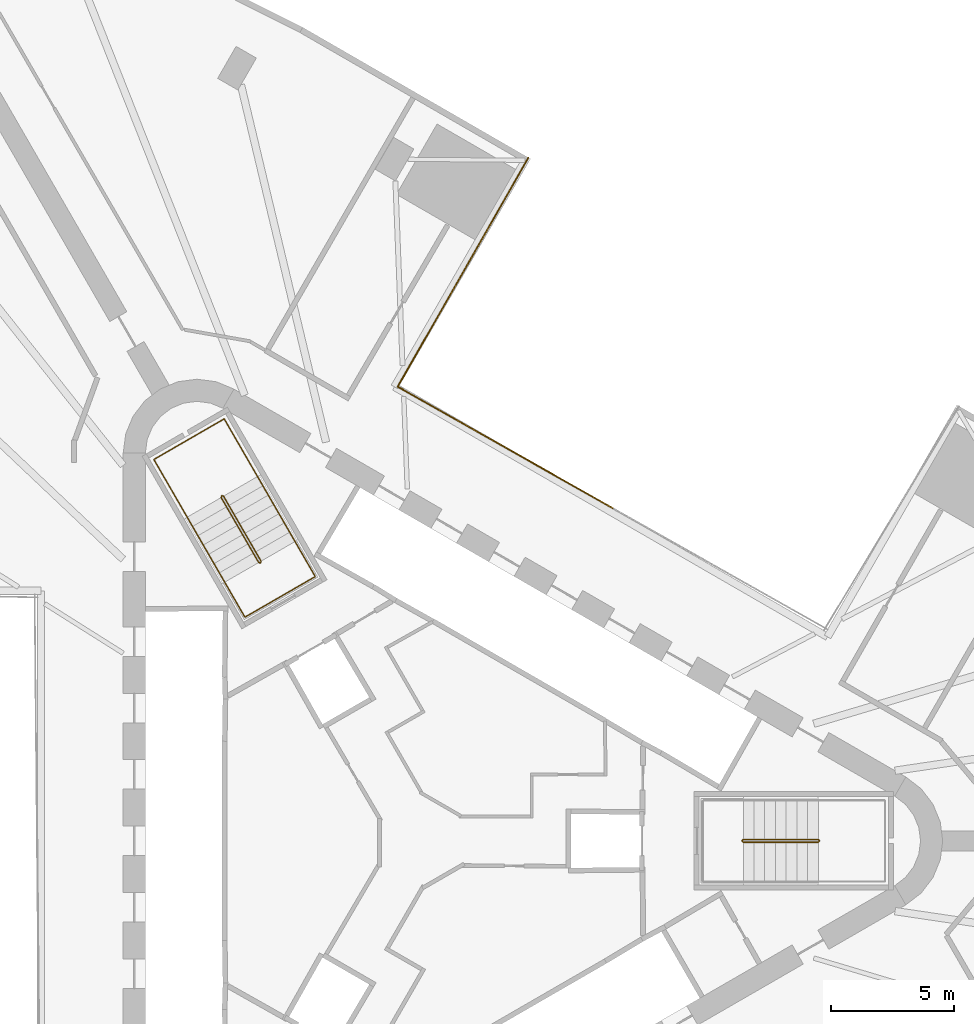
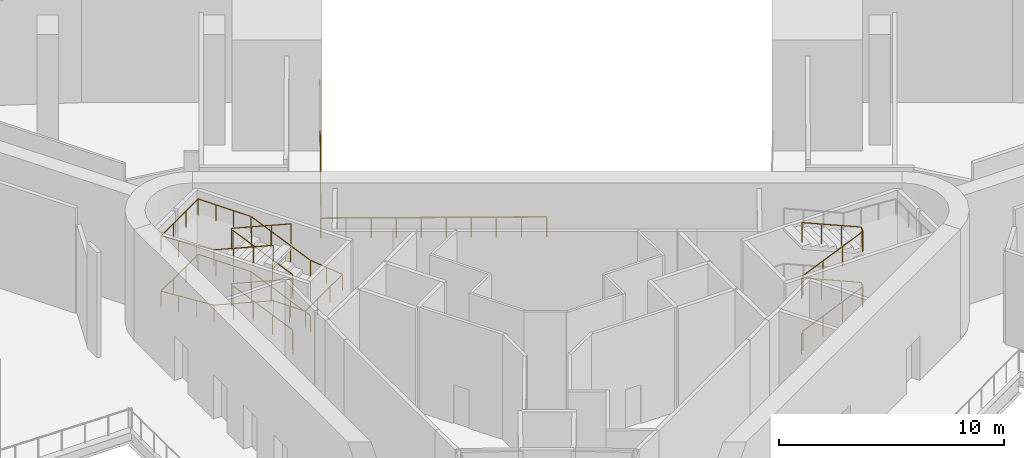
# One storey, part 10 of 11: 5 railings.
"""IFC4 building model written with IfcOpenShell, lengths in metres."""

import ifcopenshell
import ifcopenshell.guid

model = None  # the IFC model being written
_history = None  # IfcOwnerHistory: only IFC2X3 demands one
_inside = {}  # id of a spatial element -> (the spatial element, [elements in it])
_under = {}  # id of a project, library or spatial element -> (it, [spatial elements below it])
_declared = {}  # id of a project -> (the project, [libraries it declares])
_typed = {}  # id of a type object -> (the type object, [elements of that type])
_made_of = {}  # id of a material, layer set ... -> (it, [elements and type objects made of it])


def new_model(schema):
    """Start an empty IFC model of exactly this schema.

    Asked for "IFC4X3", IfcOpenShell would pick the latest addendum, in which some entities
    have other attributes; the version numbers below select the first issue.
    IFC2X3 requires an IfcOwnerHistory on every rooted entity: one is made here for all.
    """
    global model, _history
    if schema == "IFC4X3":
        model = ifcopenshell.file(schema_version=(4, 3, 0, 0))
    else:
        model = ifcopenshell.file(schema=schema)
    _inside.clear()
    _under.clear()
    _declared.clear()
    _typed.clear()
    _made_of.clear()
    _history = None
    if model.schema == "IFC2X3":
        org = make("IfcOrganization", Name="unknown")
        user = make(
            "IfcPersonAndOrganization",
            ThePerson=make("IfcPerson", FamilyName="unknown"),
            TheOrganization=org,
        )
        app = make(
            "IfcApplication",
            ApplicationDeveloper=org,
            Version="unknown",
            ApplicationFullName="unknown",
            ApplicationIdentifier="unknown",
        )
        _history = make(
            "IfcOwnerHistory",
            OwningUser=user,
            OwningApplication=app,
            ChangeAction="ADDED",
            CreationDate=0,
        )
    return model


def make(cls, **values):
    """One entity of the class cls with the attributes given. An attribute that is None is left unset."""
    return model.create_entity(
        cls, **{name: value for name, value in values.items() if value is not None}
    )


def rooted(cls, **values):
    """An entity with a GlobalId (a new one), such as an element, a storey or a relation."""
    return make(cls, GlobalId=ifcopenshell.guid.new(), OwnerHistory=_history, **values)


def si_unit(unit_type, name, prefix=None):
    """IfcSIUnit, for example si_unit("LENGTHUNIT", "METRE", prefix="MILLI")."""
    return make("IfcSIUnit", UnitType=unit_type, Prefix=prefix, Name=name)


def assignment(units):
    """IfcUnitAssignment: the units of a project."""
    return None if units is None else make("IfcUnitAssignment", Units=units)


def point(xyz):
    """IfcCartesianPoint."""
    return None if xyz is None else make("IfcCartesianPoint", Coordinates=xyz)


def direction(xyz):
    """IfcDirection."""
    return None if xyz is None else make("IfcDirection", DirectionRatios=xyz)


def frame(location, z_axis=None, x_axis=None):
    """IfcAxis2Placement3D, a coordinate frame: its origin and axes. An axis left out is left unset."""
    return make(
        "IfcAxis2Placement3D",
        Location=point(location),
        Axis=direction(z_axis),
        RefDirection=direction(x_axis),
    )


def frame_2d(location, x_axis=None):
    """IfcAxis2Placement2D, a coordinate frame in the plane: its origin and x axis."""
    return make(
        "IfcAxis2Placement2D", Location=point(location), RefDirection=direction(x_axis)
    )


def origin():
    """The frame at (0, 0, 0) with its axes left unset."""
    return frame((0.0, 0.0, 0.0))


def origin_2d():
    """The frame at (0, 0) in the plane with its x axis left unset."""
    return frame_2d((0.0, 0.0))


def place(relative_to, where):
    """IfcLocalPlacement: puts the frame where relative to a parent placement (None: the world)."""
    return make(
        "IfcLocalPlacement", PlacementRelTo=relative_to, RelativePlacement=where
    )


def context(
    kind, dimensions, precision=None, world=None, true_north=None, identifier=None
):
    """IfcGeometricRepresentationContext, for example the 3D "Model" context."""
    return make(
        "IfcGeometricRepresentationContext",
        ContextIdentifier=identifier,
        ContextType=kind,
        CoordinateSpaceDimension=dimensions,
        Precision=precision,
        WorldCoordinateSystem=world,
        TrueNorth=true_north,
    )


def subcontext(parent, identifier, kind, view, scale=None):
    """IfcGeometricRepresentationSubContext, for example "Body" below "Model"."""
    return make(
        "IfcGeometricRepresentationSubContext",
        ContextIdentifier=identifier,
        ContextType=kind,
        ParentContext=parent,
        TargetScale=scale,
        TargetView=view,
    )


def project(units=None, contexts=None):
    """IfcProject with its units and contexts."""
    return rooted(
        "IfcProject",
        Name="project",
        RepresentationContexts=contexts,
        UnitsInContext=assignment(units),
    )


def spatial(cls, under=None, at=None, **own):
    """A site, building, storey or space (cls), placed at a placement, below another one or the project."""
    s = rooted(cls, ObjectPlacement=at, **own)
    if under is not None:
        _under.setdefault(under.id(), (under, []))[1].append(s)
    return s


def profile(cls, at=None, kind="AREA", **sizes):
    """A parametric profile (cls). Its sizes go by their IFC names, for example OverallWidth=200.0."""
    return make(cls, ProfileType=kind, Position=at, **sizes)


def circle(**sizes):
    """IfcCircleProfileDef."""
    return profile("IfcCircleProfileDef", **sizes)


def extrude(swept, where, along, depth):
    """IfcExtrudedAreaSolid: the profile swept, set in the frame where, extruded along a direction by depth."""
    return make(
        "IfcExtrudedAreaSolid",
        SweptArea=swept,
        Position=where,
        ExtrudedDirection=direction(along),
        Depth=depth,
    )


def shape(context_of_items, identifier, shape_type, items):
    """IfcShapeRepresentation: the items that make up one representation, for example the "Body"."""
    return make(
        "IfcShapeRepresentation",
        ContextOfItems=context_of_items,
        RepresentationIdentifier=identifier,
        RepresentationType=shape_type,
        Items=items,
    )


def material(Name=None, Category=None):
    """IfcMaterial."""
    return make("IfcMaterial", Name=Name, Category=Category)


def made_of(thing, what):
    """Note that an element or type object is made of a material, layer set ...; save() writes the relation."""
    if what is not None:
        _made_of.setdefault(what.id(), (what, []))[1].append(thing)
    return thing


def type_object(cls, material=None, **own):
    """A type object (cls), such as IfcWallType, which elements share."""
    return made_of(rooted(cls, **own), material)


def element(
    cls,
    number,
    at=None,
    inside=None,
    cuts=None,
    type_object=None,
    material=None,
    context=None,
    identifier="Body",
    shape_type=None,
    held_by="IfcProductDefinitionShape",
    body=None,
    shapes=None,
    **own,
):
    """One element of the class cls, such as IfcWall. Its Tag is "e" and its number.

    at: its placement. inside: the storey or other place that contains it. cuts: it is an
    opening in that element (IfcRelVoidsElement). A single representation is given by context,
    identifier, shape_type and body (its items); several are given by shapes. held_by: the class
    of the entity that holds the representations. save() writes the other relations.
    """
    e = rooted(cls, Tag="e%d" % number, ObjectPlacement=at, **own)
    if body is not None:
        shapes = [shape(context, identifier, shape_type, body)]
    if shapes is not None:
        e.Representation = make(held_by, Representations=shapes)
    if inside is not None:
        _inside.setdefault(inside.id(), (inside, []))[1].append(e)
    if cuts is not None:
        rooted(
            "IfcRelVoidsElement", RelatingBuildingElement=cuts, RelatedOpeningElement=e
        )
    if type_object is not None:
        _typed.setdefault(type_object.id(), (type_object, []))[1].append(e)
    return made_of(e, material)


def aggregate(whole, parts):
    """IfcRelAggregates: a whole, such as a stair, and the parts it consists of."""
    return rooted("IfcRelAggregates", RelatingObject=whole, RelatedObjects=parts)


def save(model, path):
    """Write the relations noted so far, then the file.

    IfcRelAggregates (storeys below a building ...), IfcRelContainedInSpatialStructure (elements
    in a storey), IfcRelDefinesByType, IfcRelAssociatesMaterial and IfcRelDeclares: one each for
    every whole, place, type object, material and project.
    """
    for whole, parts in _under.values():
        aggregate(whole, parts)
    for where, things in _inside.values():
        rooted(
            "IfcRelContainedInSpatialStructure",
            RelatedElements=things,
            RelatingStructure=where,
        )
    for kind, things in _typed.values():
        rooted("IfcRelDefinesByType", RelatedObjects=things, RelatingType=kind)
    for what, things in _made_of.values():
        rooted("IfcRelAssociatesMaterial", RelatedObjects=things, RelatingMaterial=what)
    for by, libraries in _declared.values():
        rooted("IfcRelDeclares", RelatingContext=by, RelatedDefinitions=libraries)
    model.write(path)


model = new_model("IFC4")

# Units and contexts
model_context = context("Model", 3, precision=1e-05, world=origin(), true_north=direction((0.0, 1.0)))
body_context = subcontext(model_context, "Body", "Model", "MODEL_VIEW")
ifc_project = project(units=[si_unit("LENGTHUNIT", "METRE"), si_unit("AREAUNIT", "SQUARE_METRE"), si_unit("VOLUMEUNIT", "CUBIC_METRE"), si_unit("PLANEANGLEUNIT", "RADIAN"), si_unit("MASSUNIT", "GRAM", prefix="KILO")], contexts=[model_context])

# Site, building, storey
site_placement = place(None, origin())
site = spatial("IfcSite", under=ifc_project, at=site_placement, CompositionType="ELEMENT")
building_placement = place(site_placement, origin())
building = spatial("IfcBuilding", under=site, at=building_placement, Name="Tanit Gate Tower", CompositionType="ELEMENT")
storey_placement = place(building_placement, frame((0.0, 0.0, 21.5)))
storey = spatial("IfcBuildingStorey", under=building, at=storey_placement, Name="L03", CompositionType="ELEMENT", Elevation=21.5)

# Railings
ifc_material_1 = material(Name="Stainless steel", Category="steel")
railing_type_1 = type_object("IfcRailingType", Name="Guard 1100 stainless steel balustrade", PredefinedType="GUARDRAIL", material=ifc_material_1)
railing_1_placement = place(storey_placement, frame((4.366943359375, 27.763916015625, 0.0)))
element("IfcRailing", 1, at=railing_1_placement, inside=storey, type_object=railing_type_1, Name="Tunnel edge guard L03 6", PredefinedType="GUARDRAIL", context=body_context, shape_type="SweptSolid", body=[
    extrude(circle(Radius=0.02392578125, at=origin_2d()), frame((0.0, 0.0, 1.076171875), z_axis=(-0.495702152138, -0.86849258855, 0.0), x_axis=(0.86849258855, -0.495702152138, 0.0)), (0.0, 0.0, 1.0), 10.716064453125),
    extrude(circle(Radius=0.02099609375, at=origin_2d()), origin(), (0.0, 0.0, 1.0), 1.052001953125),
    extrude(circle(Radius=0.02099609375, at=origin_2d()), frame((-0.59033203125, -1.0341796875, 0.0)), (0.0, 0.0, 1.0), 1.052001953125),
    extrude(circle(Radius=0.02099609375, at=origin_2d()), frame((-1.180419921875, -2.068115234375, 0.0)), (0.0, 0.0, 1.0), 1.052001953125),
    extrude(circle(Radius=0.02099609375, at=origin_2d()), frame((-1.770751953125, -3.102294921875, 0.0)), (0.0, 0.0, 1.0), 1.052001953125),
    extrude(circle(Radius=0.02099609375, at=origin_2d()), frame((-2.36083984375, -4.136474609375, 0.0)), (0.0, 0.0, 1.0), 1.052001953125),
    extrude(circle(Radius=0.02099609375, at=origin_2d()), frame((-2.951171875, -5.17041015625, 0.0)), (0.0, 0.0, 1.0), 1.052001953125),
    extrude(circle(Radius=0.02099609375, at=origin_2d()), frame((-3.541259765625, -6.20458984375, 0.0)), (0.0, 0.0, 1.0), 1.052001953125),
    extrude(circle(Radius=0.02099609375, at=origin_2d()), frame((-4.131591796875, -7.23876953125, 0.0)), (0.0, 0.0, 1.0), 1.052001953125),
    extrude(circle(Radius=0.02099609375, at=origin_2d()), frame((-4.7216796875, -8.272705078125, 0.0)), (0.0, 0.0, 1.0), 1.052001953125),
    extrude(circle(Radius=0.02099609375, at=origin_2d()), frame((-5.31201171875, -9.306884765625, 0.0)), (0.0, 0.0, 1.0), 1.052001953125),
])
railing_2_placement = place(storey_placement, frame((-0.945068359375, 18.45703125, 0.0)))
element("IfcRailing", 2, at=railing_2_placement, inside=storey, type_object=railing_type_1, Name="Tunnel edge guard L03 6", PredefinedType="GUARDRAIL", context=body_context, shape_type="SweptSolid", body=[
    extrude(circle(Radius=0.02392578125, at=origin_2d()), frame((0.0, 0.0, 1.076171875), z_axis=(0.870687554571, -0.491836540239, 0.0), x_axis=(0.491836540239, 0.870687554571, 0.0)), (0.0, 0.0, 1.0), 10.02392578125),
    extrude(circle(Radius=0.02099609375, at=origin_2d()), origin(), (0.0, 0.0, 1.0), 1.052001953125),
    extrude(circle(Radius=0.02099609375, at=origin_2d()), frame((0.9697265625, -0.5478515625, 0.0)), (0.0, 0.0, 1.0), 1.052001953125),
    extrude(circle(Radius=0.02099609375, at=origin_2d()), frame((1.939453125, -1.095703125, 0.0)), (0.0, 0.0, 1.0), 1.052001953125),
    extrude(circle(Radius=0.02099609375, at=origin_2d()), frame((2.9091796875, -1.643310546875, 0.0)), (0.0, 0.0, 1.0), 1.052001953125),
    extrude(circle(Radius=0.02099609375, at=origin_2d()), frame((3.87890625, -2.191162109375, 0.0)), (0.0, 0.0, 1.0), 1.052001953125),
    extrude(circle(Radius=0.02099609375, at=origin_2d()), frame((4.848876953125, -2.739013671875, 0.0)), (0.0, 0.0, 1.0), 1.052001953125),
    extrude(circle(Radius=0.02099609375, at=origin_2d()), frame((5.818603515625, -3.286865234375, 0.0)), (0.0, 0.0, 1.0), 1.052001953125),
    extrude(circle(Radius=0.02099609375, at=origin_2d()), frame((6.788330078125, -3.83447265625, 0.0)), (0.0, 0.0, 1.0), 1.052001953125),
    extrude(circle(Radius=0.02099609375, at=origin_2d()), frame((7.758056640625, -4.38232421875, 0.0)), (0.0, 0.0, 1.0), 1.052001953125),
    extrude(circle(Radius=0.02099609375, at=origin_2d()), frame((8.727783203125, -4.93017578125, 0.0)), (0.0, 0.0, 1.0), 1.052001953125),
])
ifc_material_2 = material(Name="Stainless steel balustrade", Category="steel")
railing_type_2 = type_object("IfcRailingType", Name="INT-STAIR-GUARD", PredefinedType="GUARDRAIL", material=ifc_material_2)
railing_3_placement = place(storey_placement, frame((13.044921875, 0.0048828125, 0.0)))
element("IfcRailing", 3, at=railing_3_placement, inside=storey, type_object=railing_type_2, Name="L03 S1 stair guard 1", PredefinedType="GUARDRAIL", context=body_context, shape_type="SweptSolid", body=[
    extrude(circle(Radius=0.02392578125, at=origin_2d()), frame((0.0, 0.0, 1.076171875), z_axis=(0.0, -1.0, 0.0), x_axis=(1.0, 0.0, 0.0)), (0.0, 0.0, 1.0), 0.009765625),
    extrude(circle(Radius=0.02392578125, at=origin_2d()), frame((0.0, -0.009765625, 1.076171875), z_axis=(0.249726431254, -0.249726431254, 0.935560483917), x_axis=(0.707106781187, 0.707106781187, 0.0)), (0.0, 0.0, 1.0), 0.200439453125),
    extrude(circle(Radius=0.02392578125, at=origin_2d()), frame((0.050048828125, -0.059814453125, 1.263671875), z_axis=(0.918608089886, 0.0, 0.395169808052), x_axis=(0.0, 1.0, 0.0)), (0.0, 0.0, 1.0), 3.3212890625),
    extrude(circle(Radius=0.02392578125, at=origin_2d()), frame((3.10107421875, -0.059814453125, 2.576171875), z_axis=(0.707106781187, 0.707106781187, 0.0), x_axis=(-0.707106781187, 0.707106781187, 0.0)), (0.0, 0.0, 1.0), 0.07080078125),
    extrude(circle(Radius=0.02392578125, at=origin_2d()), frame((3.151123046875, -0.009765625, 2.576171875), z_axis=(0.0, 1.0, 0.0), x_axis=(-1.0, 0.0, 0.0)), (0.0, 0.0, 1.0), 0.009765625),
    extrude(circle(Radius=0.02392578125, at=origin_2d()), frame((3.151123046875, 0.0, 2.576171875), z_axis=(-0.249726431254, 0.249726431254, 0.935560483917), x_axis=(-0.707106781187, -0.707106781187, 0.0)), (0.0, 0.0, 1.0), 0.200439453125),
    extrude(circle(Radius=0.02392578125, at=origin_2d()), frame((3.10107421875, 0.050048828125, 2.763671875), z_axis=(-0.918608089886, 0.0, 0.395169808052), x_axis=(0.0, -1.0, 0.0)), (0.0, 0.0, 1.0), 3.3212890625),
    extrude(circle(Radius=0.02392578125, at=origin_2d()), frame((0.050048828125, 0.050048828125, 4.076171875), z_axis=(-0.707106781187, -0.707106781187, 0.0), x_axis=(0.707106781187, -0.707106781187, 0.0)), (0.0, 0.0, 1.0), 0.07080078125),
    extrude(circle(Radius=0.02392578125, at=origin_2d()), frame((0.0, 0.0, 4.076171875), z_axis=(0.0, -1.0, 0.0), x_axis=(1.0, 0.0, 0.0)), (0.0, 0.0, 1.0), 0.009765625),
    extrude(circle(Radius=0.02392578125, at=origin_2d()), frame((0.0, -0.009765625, 4.076171875), z_axis=(0.249726431254, -0.249726431254, 0.935560483917), x_axis=(0.707106781187, 0.707106781187, 0.0)), (0.0, 0.0, 1.0), 0.200439453125),
    extrude(circle(Radius=0.02392578125, at=origin_2d()), frame((0.050048828125, -0.059814453125, 4.263671875), z_axis=(0.918608089886, 0.0, 0.395169808052), x_axis=(0.0, 1.0, 0.0)), (0.0, 0.0, 1.0), 3.3212890625),
    extrude(circle(Radius=0.02392578125, at=origin_2d()), frame((3.10107421875, -0.059814453125, 5.576171875), z_axis=(0.707106781187, 0.707106781187, 0.0), x_axis=(-0.707106781187, 0.707106781187, 0.0)), (0.0, 0.0, 1.0), 0.07080078125),
    extrude(circle(Radius=0.02392578125, at=origin_2d()), frame((3.151123046875, -0.009765625, 5.576171875), z_axis=(0.0, 1.0, 0.0), x_axis=(-1.0, 0.0, 0.0)), (0.0, 0.0, 1.0), 0.009765625),
    extrude(circle(Radius=0.02392578125, at=origin_2d()), frame((3.151123046875, 0.0, 5.576171875), z_axis=(-0.249726431254, 0.249726431254, 0.935560483917), x_axis=(-0.707106781187, -0.707106781187, 0.0)), (0.0, 0.0, 1.0), 0.200439453125),
    extrude(circle(Radius=0.02392578125, at=origin_2d()), frame((3.10107421875, 0.050048828125, 5.763671875), z_axis=(-0.918608089886, 0.0, 0.395169808052), x_axis=(0.0, -1.0, 0.0)), (0.0, 0.0, 1.0), 3.3212890625),
    extrude(circle(Radius=0.02099609375, at=origin_2d()), origin(), (0.0, 0.0, 1.0), 1.052001953125),
    extrude(circle(Radius=0.02099609375, at=origin_2d()), frame((0.0, -0.009765625, 0.0)), (0.0, 0.0, 1.0), 1.052001953125),
    extrude(circle(Radius=0.02099609375, at=origin_2d()), frame((0.050048828125, -0.059814453125, 0.1875)), (0.0, 0.0, 1.0), 1.052001953125),
    extrude(circle(Radius=0.02099609375, at=origin_2d()), frame((1.067138671875, -0.059814453125, 0.625)), (0.0, 0.0, 1.0), 1.052001953125),
    extrude(circle(Radius=0.02099609375, at=origin_2d()), frame((2.083984375, -0.059814453125, 1.0625)), (0.0, 0.0, 1.0), 1.052001953125),
    extrude(circle(Radius=0.02099609375, at=origin_2d()), frame((3.10107421875, -0.059814453125, 1.5)), (0.0, 0.0, 1.0), 1.052001953125),
    extrude(circle(Radius=0.02099609375, at=origin_2d()), frame((3.151123046875, -0.009765625, 1.5)), (0.0, 0.0, 1.0), 1.052001953125),
    extrude(circle(Radius=0.02099609375, at=origin_2d()), frame((3.151123046875, 0.0, 1.5)), (0.0, 0.0, 1.0), 1.052001953125),
    extrude(circle(Radius=0.02099609375, at=origin_2d()), frame((3.10107421875, 0.050048828125, 1.6875)), (0.0, 0.0, 1.0), 1.052001953125),
    extrude(circle(Radius=0.02099609375, at=origin_2d()), frame((2.083984375, 0.050048828125, 2.125)), (0.0, 0.0, 1.0), 1.052001953125),
    extrude(circle(Radius=0.02099609375, at=origin_2d()), frame((1.067138671875, 0.050048828125, 2.5625)), (0.0, 0.0, 1.0), 1.052001953125),
    extrude(circle(Radius=0.02099609375, at=origin_2d()), frame((0.050048828125, 0.050048828125, 3.0)), (0.0, 0.0, 1.0), 1.052001953125),
    extrude(circle(Radius=0.02099609375, at=origin_2d()), frame((0.0, 0.0, 3.0)), (0.0, 0.0, 1.0), 1.052001953125),
    extrude(circle(Radius=0.02099609375, at=origin_2d()), frame((0.0, -0.009765625, 3.0)), (0.0, 0.0, 1.0), 1.052001953125),
    extrude(circle(Radius=0.02099609375, at=origin_2d()), frame((0.050048828125, -0.059814453125, 3.1875)), (0.0, 0.0, 1.0), 1.052001953125),
    extrude(circle(Radius=0.02099609375, at=origin_2d()), frame((1.067138671875, -0.059814453125, 3.625)), (0.0, 0.0, 1.0), 1.052001953125),
    extrude(circle(Radius=0.02099609375, at=origin_2d()), frame((2.083984375, -0.059814453125, 4.0625)), (0.0, 0.0, 1.0), 1.052001953125),
    extrude(circle(Radius=0.02099609375, at=origin_2d()), frame((3.10107421875, -0.059814453125, 4.5)), (0.0, 0.0, 1.0), 1.052001953125),
    extrude(circle(Radius=0.02099609375, at=origin_2d()), frame((3.151123046875, -0.009765625, 4.5)), (0.0, 0.0, 1.0), 1.052001953125),
    extrude(circle(Radius=0.02099609375, at=origin_2d()), frame((3.151123046875, 0.0, 4.5)), (0.0, 0.0, 1.0), 1.052001953125),
    extrude(circle(Radius=0.02099609375, at=origin_2d()), frame((3.10107421875, 0.050048828125, 4.6875)), (0.0, 0.0, 1.0), 1.052001953125),
    extrude(circle(Radius=0.02099609375, at=origin_2d()), frame((2.083984375, 0.050048828125, 5.125)), (0.0, 0.0, 1.0), 1.052001953125),
    extrude(circle(Radius=0.02099609375, at=origin_2d()), frame((1.067138671875, 0.050048828125, 5.5625)), (0.0, 0.0, 1.0), 1.052001953125),
    extrude(circle(Radius=0.02099609375, at=origin_2d()), frame((0.050048828125, 0.050048828125, 6.0)), (0.0, 0.0, 1.0), 1.052001953125),
])
railing_4_placement = place(storey_placement, frame((-6.527099609375, 11.29345703125, 0.0)))
element("IfcRailing", 4, at=railing_4_placement, inside=storey, type_object=railing_type_2, Name="L03 S2 stair guard 1", PredefinedType="GUARDRAIL", context=body_context, shape_type="SweptSolid", body=[
    extrude(circle(Radius=0.02392578125, at=origin_2d()), frame((0.0, 0.0, 1.076171875), z_axis=(0.868243142124, 0.496138938357, 0.0), x_axis=(-0.496138938357, 0.868243142124, 0.0)), (0.0, 0.0, 1.0), 0.01171875),
    extrude(circle(Radius=0.02392578125, at=origin_2d()), frame((0.01025390625, 0.005859375, 1.076171875), z_axis=(0.091365023295, 0.341096086969, 0.935577838543), x_axis=(-0.965948051503, 0.258736085224, 0.0)), (0.0, 0.0, 1.0), 0.200439453125),
    extrude(circle(Radius=0.02392578125, at=origin_2d()), frame((0.028564453125, 0.07421875, 1.263671875), z_axis=(-0.459281500864, 0.79545055458, 0.395371873282), x_axis=(-0.866012246495, -0.500022788402, 0.0)), (0.0, 0.0, 1.0), 3.319580078125),
    extrude(circle(Radius=0.02392578125, at=origin_2d()), frame((-1.49609375, 2.71484375, 2.576171875), z_axis=(-0.965715946433, 0.259601060869, 0.0), x_axis=(-0.259601060869, -0.965715946433, 0.0)), (0.0, 0.0, 1.0), 0.070556640625),
    extrude(circle(Radius=0.02392578125, at=origin_2d()), frame((-1.564208984375, 2.733154296875, 2.576171875), z_axis=(-0.873197702015, -0.487366159264, 0.0), x_axis=(0.487366159264, -0.873197702015, 0.0)), (0.0, 0.0, 1.0), 0.011962890625),
    extrude(circle(Radius=0.02392578125, at=origin_2d()), frame((-1.57470703125, 2.727294921875, 2.576171875), z_axis=(-0.091365023295, -0.341096086969, 0.935577838543), x_axis=(0.965948051503, -0.258736085224, 0.0)), (0.0, 0.0, 1.0), 0.200439453125),
    extrude(circle(Radius=0.02392578125, at=origin_2d()), frame((-1.593017578125, 2.658935546875, 2.763671875), z_axis=(0.459281500864, -0.79545055458, 0.395371873282), x_axis=(0.866012246495, 0.500022788402, 0.0)), (0.0, 0.0, 1.0), 3.319580078125),
    extrude(circle(Radius=0.02392578125, at=origin_2d()), frame((-0.068359375, 0.018310546875, 4.076171875), z_axis=(0.965948051503, -0.258736085224, 0.0), x_axis=(0.258736085224, 0.965948051503, 0.0)), (0.0, 0.0, 1.0), 0.07080078125),
    extrude(circle(Radius=0.02392578125, at=origin_2d()), frame((0.0, 0.0, 4.076171875), z_axis=(0.868243142124, 0.496138938357, 0.0), x_axis=(-0.496138938357, 0.868243142124, 0.0)), (0.0, 0.0, 1.0), 0.01171875),
    extrude(circle(Radius=0.02392578125, at=origin_2d()), frame((0.01025390625, 0.005859375, 4.076171875), z_axis=(0.091365023295, 0.341096086969, 0.935577838543), x_axis=(-0.965948051503, 0.258736085224, 0.0)), (0.0, 0.0, 1.0), 0.200439453125),
    extrude(circle(Radius=0.02392578125, at=origin_2d()), frame((0.028564453125, 0.07421875, 4.263671875), z_axis=(-0.459281500864, 0.79545055458, 0.395371873282), x_axis=(-0.866012246495, -0.500022788402, 0.0)), (0.0, 0.0, 1.0), 3.319580078125),
    extrude(circle(Radius=0.02392578125, at=origin_2d()), frame((-1.49609375, 2.71484375, 5.576171875), z_axis=(-0.965715946433, 0.259601060869, 0.0), x_axis=(-0.259601060869, -0.965715946433, 0.0)), (0.0, 0.0, 1.0), 0.070556640625),
    extrude(circle(Radius=0.02392578125, at=origin_2d()), frame((-1.564208984375, 2.733154296875, 5.576171875), z_axis=(-0.873197702015, -0.487366159264, 0.0), x_axis=(0.487366159264, -0.873197702015, 0.0)), (0.0, 0.0, 1.0), 0.011962890625),
    extrude(circle(Radius=0.02392578125, at=origin_2d()), frame((-1.57470703125, 2.727294921875, 5.576171875), z_axis=(-0.091365023295, -0.341096086969, 0.935577838543), x_axis=(0.965948051503, -0.258736085224, 0.0)), (0.0, 0.0, 1.0), 0.200439453125),
    extrude(circle(Radius=0.02392578125, at=origin_2d()), frame((-1.593017578125, 2.658935546875, 5.763671875), z_axis=(0.459281500864, -0.79545055458, 0.395371873282), x_axis=(0.866012246495, 0.500022788402, 0.0)), (0.0, 0.0, 1.0), 3.319580078125),
    extrude(circle(Radius=0.02099609375, at=origin_2d()), origin(), (0.0, 0.0, 1.0), 1.052001953125),
    extrude(circle(Radius=0.02099609375, at=origin_2d()), frame((0.01025390625, 0.005859375, 0.0)), (0.0, 0.0, 1.0), 1.052001953125),
    extrude(circle(Radius=0.02099609375, at=origin_2d()), frame((0.028564453125, 0.07421875, 0.1875)), (0.0, 0.0, 1.0), 1.052001953125),
    extrude(circle(Radius=0.02099609375, at=origin_2d()), frame((-0.479736328125, 0.954345703125, 0.625)), (0.0, 0.0, 1.0), 1.052001953125),
    extrude(circle(Radius=0.02099609375, at=origin_2d()), frame((-0.98779296875, 1.834716796875, 1.0625)), (0.0, 0.0, 1.0), 1.052001953125),
    extrude(circle(Radius=0.02099609375, at=origin_2d()), frame((-1.49609375, 2.71484375, 1.5)), (0.0, 0.0, 1.0), 1.052001953125),
    extrude(circle(Radius=0.02099609375, at=origin_2d()), frame((-1.564208984375, 2.733154296875, 1.5)), (0.0, 0.0, 1.0), 1.052001953125),
    extrude(circle(Radius=0.02099609375, at=origin_2d()), frame((-1.57470703125, 2.727294921875, 1.5)), (0.0, 0.0, 1.0), 1.052001953125),
    extrude(circle(Radius=0.02099609375, at=origin_2d()), frame((-1.593017578125, 2.658935546875, 1.6875)), (0.0, 0.0, 1.0), 1.052001953125),
    extrude(circle(Radius=0.02099609375, at=origin_2d()), frame((-1.084716796875, 1.77880859375, 2.125)), (0.0, 0.0, 1.0), 1.052001953125),
    extrude(circle(Radius=0.02099609375, at=origin_2d()), frame((-0.57666015625, 0.8984375, 2.5625)), (0.0, 0.0, 1.0), 1.052001953125),
    extrude(circle(Radius=0.02099609375, at=origin_2d()), frame((-0.068359375, 0.018310546875, 3.0)), (0.0, 0.0, 1.0), 1.052001953125),
    extrude(circle(Radius=0.02099609375, at=origin_2d()), frame((0.0, 0.0, 3.0)), (0.0, 0.0, 1.0), 1.052001953125),
    extrude(circle(Radius=0.02099609375, at=origin_2d()), frame((0.01025390625, 0.005859375, 3.0)), (0.0, 0.0, 1.0), 1.052001953125),
    extrude(circle(Radius=0.02099609375, at=origin_2d()), frame((0.028564453125, 0.07421875, 3.1875)), (0.0, 0.0, 1.0), 1.052001953125),
    extrude(circle(Radius=0.02099609375, at=origin_2d()), frame((-0.479736328125, 0.954345703125, 3.625)), (0.0, 0.0, 1.0), 1.052001953125),
    extrude(circle(Radius=0.02099609375, at=origin_2d()), frame((-0.98779296875, 1.834716796875, 4.0625)), (0.0, 0.0, 1.0), 1.052001953125),
    extrude(circle(Radius=0.02099609375, at=origin_2d()), frame((-1.49609375, 2.71484375, 4.5)), (0.0, 0.0, 1.0), 1.052001953125),
    extrude(circle(Radius=0.02099609375, at=origin_2d()), frame((-1.564208984375, 2.733154296875, 4.5)), (0.0, 0.0, 1.0), 1.052001953125),
    extrude(circle(Radius=0.02099609375, at=origin_2d()), frame((-1.57470703125, 2.727294921875, 4.5)), (0.0, 0.0, 1.0), 1.052001953125),
    extrude(circle(Radius=0.02099609375, at=origin_2d()), frame((-1.593017578125, 2.658935546875, 4.6875)), (0.0, 0.0, 1.0), 1.052001953125),
    extrude(circle(Radius=0.02099609375, at=origin_2d()), frame((-1.084716796875, 1.77880859375, 5.125)), (0.0, 0.0, 1.0), 1.052001953125),
    extrude(circle(Radius=0.02099609375, at=origin_2d()), frame((-0.57666015625, 0.8984375, 5.5625)), (0.0, 0.0, 1.0), 1.052001953125),
    extrude(circle(Radius=0.02099609375, at=origin_2d()), frame((-0.068359375, 0.018310546875, 6.0)), (0.0, 0.0, 1.0), 1.052001953125),
])
ifc_material_3 = material(Name="Stainless steel handrail", Category="steel")
railing_type_3 = type_object("IfcRailingType", Name="INT-STAIR-HANDRAIL", PredefinedType="HANDRAIL", material=ifc_material_3)
railing_5_placement = place(storey_placement, frame((-5.1181640625, 12.164794921875, 0.1875)))
element("IfcRailing", 5, at=railing_5_placement, inside=storey, type_object=railing_type_3, Name="L03 S2 stair handrail 1", PredefinedType="HANDRAIL", context=body_context, shape_type="SweptSolid", body=[
    extrude(circle(Radius=0.02392578125, at=origin_2d()), frame((0.0, 0.0, 0.8759765625), z_axis=(-0.459223467357, 0.795477421995, 0.3953852275), x_axis=(-0.866046917185, -0.499962735845, 0.0)), (0.0, 0.0, 1.0), 3.319580078125),
    extrude(circle(Radius=0.02392578125, at=origin_2d()), frame((-1.5244140625, 2.640625, 2.1884765625), z_axis=(-0.500019123664, 0.86601436245, 0.0), x_axis=(-0.86601436245, -0.500019123664, 0.0)), (0.0, 0.0, 1.0), 2.70703125),
    extrude(circle(Radius=0.02392578125, at=origin_2d()), frame((-2.8779296875, 4.98486328125, 2.1884765625), z_axis=(-0.866008176907, -0.50002983664, 0.0), x_axis=(0.50002983664, -0.866008176907, 0.0)), (0.0, 0.0, 1.0), 3.300048828125),
    extrude(circle(Radius=0.02392578125, at=origin_2d()), frame((-5.73583984375, 3.334716796875, 2.1884765625), z_axis=(0.498862685348, -0.863921472227, 0.069106519182), x_axis=(0.865991810323, 0.500058181068, 0.0)), (0.0, 0.0, 1.0), 2.713134765625),
    extrude(circle(Radius=0.02392578125, at=origin_2d()), frame((-4.38232421875, 0.99072265625, 2.3759765625), z_axis=(0.459254633775, -0.795477561817, 0.395348744784), x_axis=(0.866032263162, 0.499988119021, 0.0)), (0.0, 0.0, 1.0), 3.31982421875),
    extrude(circle(Radius=0.02392578125, at=origin_2d()), frame((-2.857666015625, -1.650146484375, 3.6884765625), z_axis=(0.499941024108, -0.866059450854, 0.0), x_axis=(0.866059450854, 0.499941024108, 0.0)), (0.0, 0.0, 1.0), 1.643798828125),
    extrude(circle(Radius=0.02392578125, at=origin_2d()), frame((-2.035888671875, -3.07373046875, 3.6884765625), z_axis=(0.866040211805, 0.499974350878, 0.0), x_axis=(-0.499974350878, 0.866040211805, 0.0)), (0.0, 0.0, 1.0), 3.300048828125),
    extrude(circle(Radius=0.02392578125, at=origin_2d()), frame((0.822021484375, -1.423828125, 3.6884765625), z_axis=(-0.496767975462, 0.860454657824, 0.113310901442), x_axis=(-0.866032269107, -0.499988108725, 0.0)), (0.0, 0.0, 1.0), 1.65478515625),
    extrude(circle(Radius=0.02392578125, at=origin_2d()), frame((0.0, 0.0, 3.8759765625), z_axis=(-0.459223467357, 0.795477421995, 0.3953852275), x_axis=(-0.866046917185, -0.499962735845, 0.0)), (0.0, 0.0, 1.0), 3.319580078125),
    extrude(circle(Radius=0.02392578125, at=origin_2d()), frame((-1.5244140625, 2.640625, 5.1884765625), z_axis=(-0.500019123664, 0.86601436245, 0.0), x_axis=(-0.86601436245, -0.500019123664, 0.0)), (0.0, 0.0, 1.0), 2.70703125),
    extrude(circle(Radius=0.02392578125, at=origin_2d()), frame((-2.8779296875, 4.98486328125, 5.1884765625), z_axis=(-0.866008176907, -0.50002983664, 0.0), x_axis=(0.50002983664, -0.866008176907, 0.0)), (0.0, 0.0, 1.0), 3.300048828125),
    extrude(circle(Radius=0.02392578125, at=origin_2d()), frame((-5.73583984375, 3.334716796875, 5.1884765625), z_axis=(0.498862685348, -0.863921472227, 0.069106519182), x_axis=(0.865991810323, 0.500058181068, 0.0)), (0.0, 0.0, 1.0), 2.713134765625),
    extrude(circle(Radius=0.02392578125, at=origin_2d()), frame((-4.38232421875, 0.99072265625, 5.3759765625), z_axis=(0.459254633775, -0.795477561817, 0.395348744784), x_axis=(0.866032263162, 0.499988119021, 0.0)), (0.0, 0.0, 1.0), 3.31982421875),
    extrude(circle(Radius=0.02099609375, at=origin_2d()), origin(), (0.0, 0.0, 1.0), 0.851806640625),
    extrude(circle(Radius=0.02099609375, at=origin_2d()), frame((-0.508056640625, 0.880126953125, 0.4375)), (0.0, 0.0, 1.0), 0.851806640625),
    extrude(circle(Radius=0.02099609375, at=origin_2d()), frame((-1.016357421875, 1.760498046875, 0.875)), (0.0, 0.0, 1.0), 0.851806640625),
    extrude(circle(Radius=0.02099609375, at=origin_2d()), frame((-1.5244140625, 2.640625, 1.3125)), (0.0, 0.0, 1.0), 0.851806640625),
    extrude(circle(Radius=0.02099609375, at=origin_2d()), frame((-1.9755859375, 3.422119140625, 1.3125)), (0.0, 0.0, 1.0), 0.851806640625),
    extrude(circle(Radius=0.02099609375, at=origin_2d()), frame((-2.4267578125, 4.203369140625, 1.3125)), (0.0, 0.0, 1.0), 0.851806640625),
    extrude(circle(Radius=0.02099609375, at=origin_2d()), frame((-2.8779296875, 4.98486328125, 1.3125)), (0.0, 0.0, 1.0), 0.851806640625),
    extrude(circle(Radius=0.02099609375, at=origin_2d()), frame((-3.83056640625, 4.434814453125, 1.3125)), (0.0, 0.0, 1.0), 0.851806640625),
    extrude(circle(Radius=0.02099609375, at=origin_2d()), frame((-4.783203125, 3.884765625, 1.3125)), (0.0, 0.0, 1.0), 0.851806640625),
    extrude(circle(Radius=0.02099609375, at=origin_2d()), frame((-5.73583984375, 3.334716796875, 1.3125)), (0.0, 0.0, 1.0), 0.851806640625),
    extrude(circle(Radius=0.02099609375, at=origin_2d()), frame((-5.28466796875, 2.553466796875, 1.375)), (0.0, 0.0, 1.0), 0.851806640625),
    extrude(circle(Radius=0.02099609375, at=origin_2d()), frame((-4.83349609375, 1.77197265625, 1.4375)), (0.0, 0.0, 1.0), 0.851806640625),
    extrude(circle(Radius=0.02099609375, at=origin_2d()), frame((-4.38232421875, 0.99072265625, 1.5)), (0.0, 0.0, 1.0), 0.851806640625),
    extrude(circle(Radius=0.02099609375, at=origin_2d()), frame((-3.8740234375, 0.1103515625, 1.9375)), (0.0, 0.0, 1.0), 0.851806640625),
    extrude(circle(Radius=0.02099609375, at=origin_2d()), frame((-3.365966796875, -0.769775390625, 2.375)), (0.0, 0.0, 1.0), 0.851806640625),
    extrude(circle(Radius=0.02099609375, at=origin_2d()), frame((-2.857666015625, -1.650146484375, 2.8125)), (0.0, 0.0, 1.0), 0.851806640625),
    extrude(circle(Radius=0.02099609375, at=origin_2d()), frame((-2.44677734375, -2.36181640625, 2.8125)), (0.0, 0.0, 1.0), 0.851806640625),
    extrude(circle(Radius=0.02099609375, at=origin_2d()), frame((-2.035888671875, -3.07373046875, 2.8125)), (0.0, 0.0, 1.0), 0.851806640625),
    extrude(circle(Radius=0.02099609375, at=origin_2d()), frame((-1.083251953125, -2.523681640625, 2.8125)), (0.0, 0.0, 1.0), 0.851806640625),
    extrude(circle(Radius=0.02099609375, at=origin_2d()), frame((-0.130615234375, -1.973876953125, 2.8125)), (0.0, 0.0, 1.0), 0.851806640625),
    extrude(circle(Radius=0.02099609375, at=origin_2d()), frame((0.822021484375, -1.423828125, 2.8125)), (0.0, 0.0, 1.0), 0.851806640625),
    extrude(circle(Radius=0.02099609375, at=origin_2d()), frame((0.4111328125, -0.7119140625, 2.90625)), (0.0, 0.0, 1.0), 0.851806640625),
    extrude(circle(Radius=0.02099609375, at=origin_2d()), frame((0.0, 0.0, 3.0)), (0.0, 0.0, 1.0), 0.851806640625),
    extrude(circle(Radius=0.02099609375, at=origin_2d()), frame((-0.508056640625, 0.880126953125, 3.4375)), (0.0, 0.0, 1.0), 0.851806640625),
    extrude(circle(Radius=0.02099609375, at=origin_2d()), frame((-1.016357421875, 1.760498046875, 3.875)), (0.0, 0.0, 1.0), 0.851806640625),
    extrude(circle(Radius=0.02099609375, at=origin_2d()), frame((-1.5244140625, 2.640625, 4.3125)), (0.0, 0.0, 1.0), 0.851806640625),
    extrude(circle(Radius=0.02099609375, at=origin_2d()), frame((-1.9755859375, 3.422119140625, 4.3125)), (0.0, 0.0, 1.0), 0.851806640625),
    extrude(circle(Radius=0.02099609375, at=origin_2d()), frame((-2.4267578125, 4.203369140625, 4.3125)), (0.0, 0.0, 1.0), 0.851806640625),
    extrude(circle(Radius=0.02099609375, at=origin_2d()), frame((-2.8779296875, 4.98486328125, 4.3125)), (0.0, 0.0, 1.0), 0.851806640625),
    extrude(circle(Radius=0.02099609375, at=origin_2d()), frame((-3.83056640625, 4.434814453125, 4.3125)), (0.0, 0.0, 1.0), 0.851806640625),
    extrude(circle(Radius=0.02099609375, at=origin_2d()), frame((-4.783203125, 3.884765625, 4.3125)), (0.0, 0.0, 1.0), 0.851806640625),
    extrude(circle(Radius=0.02099609375, at=origin_2d()), frame((-5.73583984375, 3.334716796875, 4.3125)), (0.0, 0.0, 1.0), 0.851806640625),
    extrude(circle(Radius=0.02099609375, at=origin_2d()), frame((-5.28466796875, 2.553466796875, 4.375)), (0.0, 0.0, 1.0), 0.851806640625),
    extrude(circle(Radius=0.02099609375, at=origin_2d()), frame((-4.83349609375, 1.77197265625, 4.4375)), (0.0, 0.0, 1.0), 0.851806640625),
    extrude(circle(Radius=0.02099609375, at=origin_2d()), frame((-4.38232421875, 0.99072265625, 4.5)), (0.0, 0.0, 1.0), 0.851806640625),
    extrude(circle(Radius=0.02099609375, at=origin_2d()), frame((-3.8740234375, 0.1103515625, 4.9375)), (0.0, 0.0, 1.0), 0.851806640625),
    extrude(circle(Radius=0.02099609375, at=origin_2d()), frame((-3.365966796875, -0.769775390625, 5.375)), (0.0, 0.0, 1.0), 0.851806640625),
    extrude(circle(Radius=0.02099609375, at=origin_2d()), frame((-2.857666015625, -1.650146484375, 5.8125)), (0.0, 0.0, 1.0), 0.851806640625),
])

save(model, "model.ifc")
